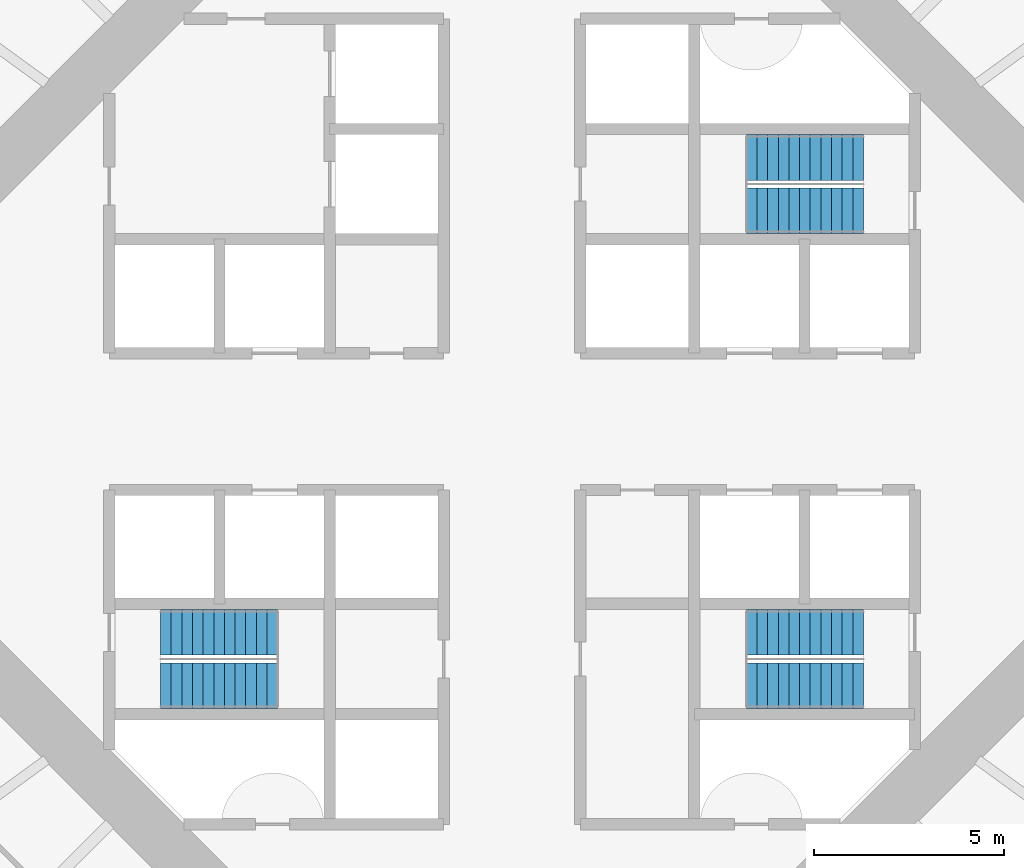
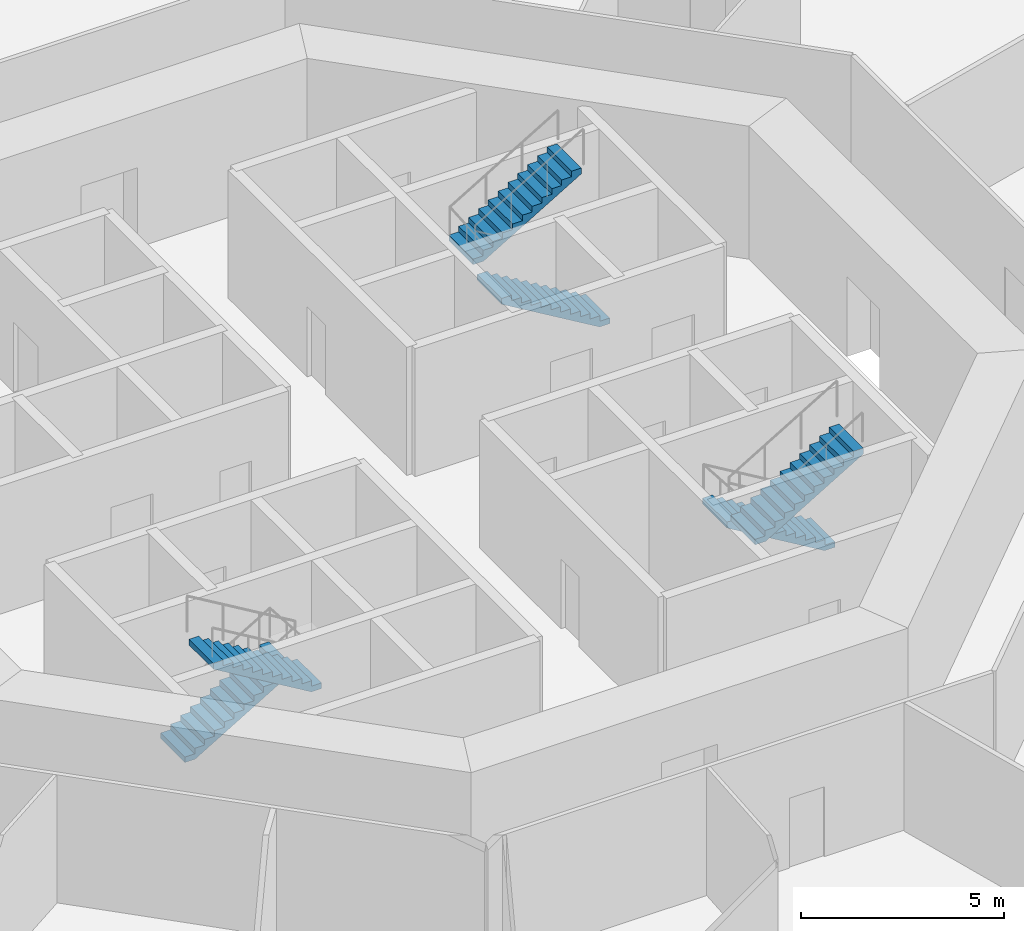
# One storey, part 6 of 13: 6 stair flights, 3 elements without a shape of their own.
"""IFC4 building model written with IfcOpenShell, lengths in metres."""

from ifc_helpers import new_model, si_unit, direction, frame, origin, place, context, subcontext, project, spatial, polyline, outline, extrude, material, type_object, element, aggregate, save


model = new_model("IFC4")

# Units and contexts
model_context = context("Model", 3, precision=1e-05, world=origin(), true_north=direction((0.0, 1.0)))
body_context = subcontext(model_context, "Body", "Model", "MODEL_VIEW")
ifc_project = project(units=[si_unit("LENGTHUNIT", "METRE"), si_unit("AREAUNIT", "SQUARE_METRE"), si_unit("VOLUMEUNIT", "CUBIC_METRE"), si_unit("PLANEANGLEUNIT", "RADIAN"), si_unit("MASSUNIT", "GRAM", prefix="KILO")], contexts=[model_context])

# Site, building, storey
site_placement = place(None, origin())
site = spatial("IfcSite", under=ifc_project, at=site_placement, CompositionType="ELEMENT")
building_placement = place(site_placement, origin())
building = spatial("IfcBuilding", under=site, at=building_placement, Name="Entoto Ring Tower", CompositionType="ELEMENT")
storey_placement = place(building_placement, frame((0.0, 0.0, 18.0)))
storey = spatial("IfcBuildingStorey", under=building, at=storey_placement, Name="L02", CompositionType="ELEMENT", Elevation=18.0)

# Stair, stair flights
ifc_material_1 = material(Name="Concrete C40/50", Category="concrete")
stair_type = type_object("IfcStairType", Name="Exit stair 1200 mm dog-leg reinforced concrete", PredefinedType="HALF_TURN_STAIR", material=ifc_material_1)
stair_1_placement = place(storey_placement, origin())
stair_1 = element("IfcStair", 1, at=stair_1_placement, inside=storey, type_object=stair_type, Name="Exit stair 1", PredefinedType="HALF_TURN_STAIR")
ifc_material_2 = material(Name="Concrete C40/50", Category="concrete")
stair_flight_type = type_object("IfcStairFlightType", Name="Stair flight 1200 mm reinforced concrete", PredefinedType="STRAIGHT", material=ifc_material_2)
stair_flight_1_placement = place(storey_placement, frame((99.25, 85.550048828125, 0.0), z_axis=(0.0, 0.0, 1.0), x_axis=(-1.0, 0.0, 0.0)))
stair_flight_1 = element("IfcStairFlight", 2, at=stair_flight_1_placement, type_object=stair_flight_type, Name="ST1 flight 1", NumberOfRisers=12, NumberOfTreads=11, PredefinedType="STRAIGHT", RiserHeight=0.166666667, TreadLength=0.28, context=body_context, shape_type="SweptSolid", body=[
    extrude(outline(polyline([(0.0, 0.0), (0.0, 0.166748046875), (0.280029296875, 0.166748046875), (0.280029296875, 0.333251953125), (0.56005859375, 0.333251953125), (0.56005859375, 0.5), (0.840087890625, 0.5), (0.840087890625, 0.666748046875), (1.1201171875, 0.666748046875), (1.1201171875, 0.833251953125), (1.39990234375, 0.833251953125), (1.39990234375, 1.0), (1.679931640625, 1.0), (1.679931640625, 1.166748046875), (1.9599609375, 1.166748046875), (1.9599609375, 1.333251953125), (2.239990234375, 1.333251953125), (2.239990234375, 1.5), (2.52001953125, 1.5), (2.52001953125, 1.666748046875), (2.800048828125, 1.666748046875), (2.800048828125, 1.833251953125), (3.080078125, 1.833251953125), (3.080078125, 2.0), (3.080078125, 1.658935546875), (0.29296875, 0.0), (0.0, 0.0)])), frame((0.0, 0.60009765625, 0.0), z_axis=(0.0, -1.0, 0.0), x_axis=(1.0, 0.0, 0.0)), (0.0, 0.0, 1.0), 1.199951171875),
])
stair_flight_2_placement = place(storey_placement, frame((96.169921875, 86.949951171875, 2.0), z_axis=(0.0, 0.0, 1.0), x_axis=(1.0, 0.0, 0.0)))
stair_flight_2 = element("IfcStairFlight", 3, at=stair_flight_2_placement, type_object=stair_flight_type, Name="ST1 flight 2", NumberOfRisers=12, NumberOfTreads=11, PredefinedType="STRAIGHT", RiserHeight=0.166666667, TreadLength=0.28, context=body_context, shape_type="SweptSolid", body=[
    extrude(outline(polyline([(0.0, 0.0), (0.0, 0.166748046875), (0.280029296875, 0.166748046875), (0.280029296875, 0.333251953125), (0.56005859375, 0.333251953125), (0.56005859375, 0.5), (0.840087890625, 0.5), (0.840087890625, 0.666748046875), (1.1201171875, 0.666748046875), (1.1201171875, 0.833251953125), (1.39990234375, 0.833251953125), (1.39990234375, 1.0), (1.679931640625, 1.0), (1.679931640625, 1.166748046875), (1.9599609375, 1.166748046875), (1.9599609375, 1.333251953125), (2.239990234375, 1.333251953125), (2.239990234375, 1.5), (2.52001953125, 1.5), (2.52001953125, 1.666748046875), (2.800048828125, 1.666748046875), (2.800048828125, 1.833251953125), (3.080078125, 1.833251953125), (3.080078125, 2.0), (3.080078125, 1.658935546875), (0.29296875, 0.0), (0.0, 0.0)])), frame((0.0, 0.60009765625, 0.0), z_axis=(0.0, -1.0, 0.0), x_axis=(1.0, 0.0, 0.0)), (0.0, 0.0, 1.0), 1.199951171875),
])
aggregate(stair_1, [stair_flight_1, stair_flight_2])

stair_2_placement = place(storey_placement, origin())
stair_2 = element("IfcStair", 4, at=stair_2_placement, inside=storey, type_object=stair_type, Name="Exit stair 2", PredefinedType="HALF_TURN_STAIR")
stair_flight_3_placement = place(storey_placement, frame((80.75, 74.449951171875, 0.0), z_axis=(0.0, 0.0, 1.0), x_axis=(1.0, 0.0, 0.0)))
stair_flight_3 = element("IfcStairFlight", 5, at=stair_flight_3_placement, type_object=stair_flight_type, Name="ST2 flight 1", NumberOfRisers=12, NumberOfTreads=11, PredefinedType="STRAIGHT", RiserHeight=0.166666667, TreadLength=0.28, context=body_context, shape_type="SweptSolid", body=[
    extrude(outline(polyline([(0.0, 0.0), (0.0, 0.166748046875), (0.280029296875, 0.166748046875), (0.280029296875, 0.333251953125), (0.56005859375, 0.333251953125), (0.56005859375, 0.5), (0.840087890625, 0.5), (0.840087890625, 0.666748046875), (1.1201171875, 0.666748046875), (1.1201171875, 0.833251953125), (1.39990234375, 0.833251953125), (1.39990234375, 1.0), (1.679931640625, 1.0), (1.679931640625, 1.166748046875), (1.9599609375, 1.166748046875), (1.9599609375, 1.333251953125), (2.239990234375, 1.333251953125), (2.239990234375, 1.5), (2.52001953125, 1.5), (2.52001953125, 1.666748046875), (2.800048828125, 1.666748046875), (2.800048828125, 1.833251953125), (3.080078125, 1.833251953125), (3.080078125, 2.0), (3.080078125, 1.658935546875), (0.29296875, 0.0), (0.0, 0.0)])), frame((0.0, 0.60009765625, 0.0), z_axis=(0.0, -1.0, 0.0), x_axis=(1.0, 0.0, 0.0)), (0.0, 0.0, 1.0), 1.199951171875),
])
stair_flight_4_placement = place(storey_placement, frame((83.830078125, 73.050048828125, 2.0), z_axis=(0.0, 0.0, 1.0), x_axis=(-1.0, 0.0, 0.0)))
stair_flight_4 = element("IfcStairFlight", 6, at=stair_flight_4_placement, type_object=stair_flight_type, Name="ST2 flight 2", NumberOfRisers=12, NumberOfTreads=11, PredefinedType="STRAIGHT", RiserHeight=0.166666667, TreadLength=0.28, context=body_context, shape_type="SweptSolid", body=[
    extrude(outline(polyline([(0.0, 0.0), (0.0, 0.166748046875), (0.280029296875, 0.166748046875), (0.280029296875, 0.333251953125), (0.56005859375, 0.333251953125), (0.56005859375, 0.5), (0.840087890625, 0.5), (0.840087890625, 0.666748046875), (1.1201171875, 0.666748046875), (1.1201171875, 0.833251953125), (1.39990234375, 0.833251953125), (1.39990234375, 1.0), (1.679931640625, 1.0), (1.679931640625, 1.166748046875), (1.9599609375, 1.166748046875), (1.9599609375, 1.333251953125), (2.239990234375, 1.333251953125), (2.239990234375, 1.5), (2.52001953125, 1.5), (2.52001953125, 1.666748046875), (2.800048828125, 1.666748046875), (2.800048828125, 1.833251953125), (3.080078125, 1.833251953125), (3.080078125, 2.0), (3.080078125, 1.658935546875), (0.29296875, 0.0), (0.0, 0.0)])), frame((0.0, 0.60009765625, 0.0), z_axis=(0.0, -1.0, 0.0), x_axis=(1.0, 0.0, 0.0)), (0.0, 0.0, 1.0), 1.199951171875),
])
aggregate(stair_2, [stair_flight_3, stair_flight_4])

stair_3_placement = place(storey_placement, origin())
stair_3 = element("IfcStair", 7, at=stair_3_placement, inside=storey, type_object=stair_type, Name="Exit stair 3", PredefinedType="HALF_TURN_STAIR")
stair_flight_5_placement = place(storey_placement, frame((99.25, 74.449951171875, 0.0), z_axis=(0.0, 0.0, 1.0), x_axis=(-1.0, 0.0, 0.0)))
stair_flight_5 = element("IfcStairFlight", 8, at=stair_flight_5_placement, type_object=stair_flight_type, Name="ST3 flight 1", NumberOfRisers=12, NumberOfTreads=11, PredefinedType="STRAIGHT", RiserHeight=0.166666667, TreadLength=0.28, context=body_context, shape_type="SweptSolid", body=[
    extrude(outline(polyline([(0.0, 0.0), (0.0, 0.166748046875), (0.280029296875, 0.166748046875), (0.280029296875, 0.333251953125), (0.56005859375, 0.333251953125), (0.56005859375, 0.5), (0.840087890625, 0.5), (0.840087890625, 0.666748046875), (1.1201171875, 0.666748046875), (1.1201171875, 0.833251953125), (1.39990234375, 0.833251953125), (1.39990234375, 1.0), (1.679931640625, 1.0), (1.679931640625, 1.166748046875), (1.9599609375, 1.166748046875), (1.9599609375, 1.333251953125), (2.239990234375, 1.333251953125), (2.239990234375, 1.5), (2.52001953125, 1.5), (2.52001953125, 1.666748046875), (2.800048828125, 1.666748046875), (2.800048828125, 1.833251953125), (3.080078125, 1.833251953125), (3.080078125, 2.0), (3.080078125, 1.658935546875), (0.29296875, 0.0), (0.0, 0.0)])), frame((0.0, 0.60009765625, 0.0), z_axis=(0.0, -1.0, 0.0), x_axis=(1.0, 0.0, 0.0)), (0.0, 0.0, 1.0), 1.199951171875),
])
stair_flight_6_placement = place(storey_placement, frame((96.169921875, 73.050048828125, 2.0), z_axis=(0.0, 0.0, 1.0), x_axis=(1.0, 0.0, 0.0)))
stair_flight_6 = element("IfcStairFlight", 9, at=stair_flight_6_placement, type_object=stair_flight_type, Name="ST3 flight 2", NumberOfRisers=12, NumberOfTreads=11, PredefinedType="STRAIGHT", RiserHeight=0.166666667, TreadLength=0.28, context=body_context, shape_type="SweptSolid", body=[
    extrude(outline(polyline([(0.0, 0.0), (0.0, 0.166748046875), (0.280029296875, 0.166748046875), (0.280029296875, 0.333251953125), (0.56005859375, 0.333251953125), (0.56005859375, 0.5), (0.840087890625, 0.5), (0.840087890625, 0.666748046875), (1.1201171875, 0.666748046875), (1.1201171875, 0.833251953125), (1.39990234375, 0.833251953125), (1.39990234375, 1.0), (1.679931640625, 1.0), (1.679931640625, 1.166748046875), (1.9599609375, 1.166748046875), (1.9599609375, 1.333251953125), (2.239990234375, 1.333251953125), (2.239990234375, 1.5), (2.52001953125, 1.5), (2.52001953125, 1.666748046875), (2.800048828125, 1.666748046875), (2.800048828125, 1.833251953125), (3.080078125, 1.833251953125), (3.080078125, 2.0), (3.080078125, 1.658935546875), (0.29296875, 0.0), (0.0, 0.0)])), frame((0.0, 0.60009765625, 0.0), z_axis=(0.0, -1.0, 0.0), x_axis=(1.0, 0.0, 0.0)), (0.0, 0.0, 1.0), 1.199951171875),
])
aggregate(stair_3, [stair_flight_5, stair_flight_6])

save(model, "model.ifc")
